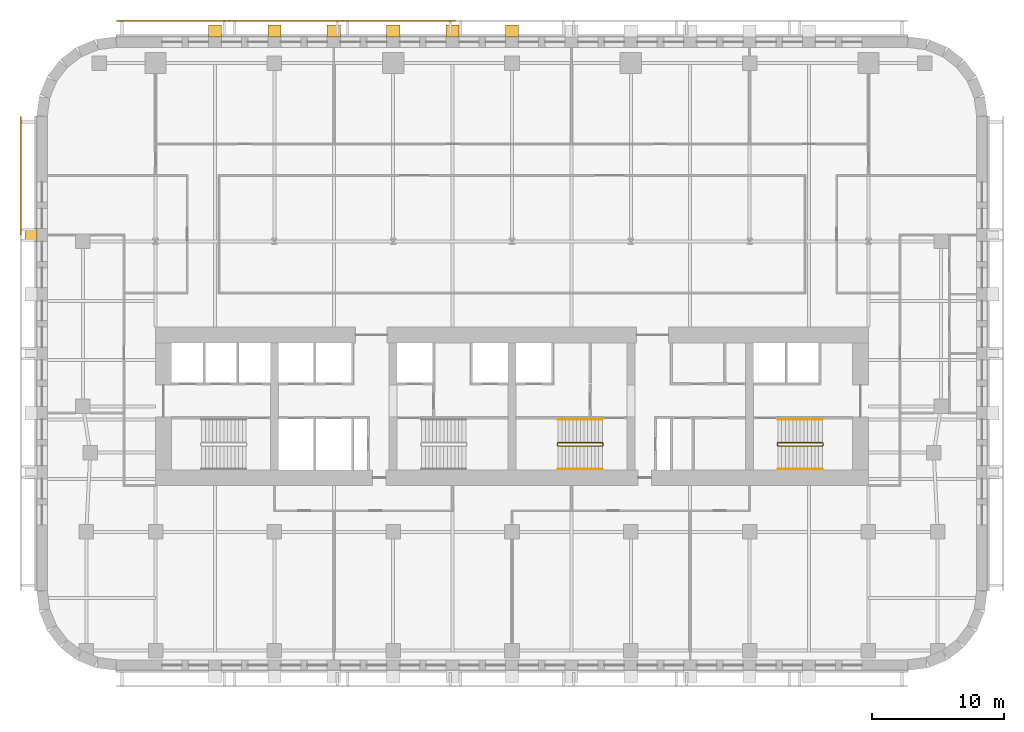
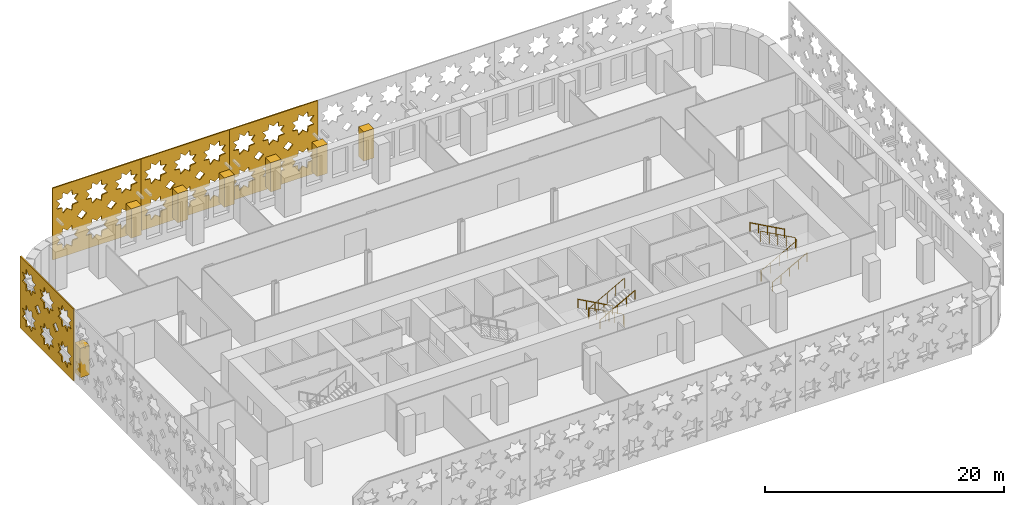
# One storey, part 13 of 15: 11 coverings, 6 railings.
"""IFC4 building model written with IfcOpenShell, lengths in metres."""

from ifc_helpers import new_model, si_unit, direction, frame, origin, origin_2d, place, context, subcontext, project, spatial, polyline, circle, outline, extrude, material, layer, layer_set, type_object, element, save


model = new_model("IFC4")

# Units and contexts
model_context = context("Model", 3, precision=1e-05, world=origin(), true_north=direction((0.0, 1.0)))
body_context = subcontext(model_context, "Body", "Model", "MODEL_VIEW")
ifc_project = project(units=[si_unit("LENGTHUNIT", "METRE"), si_unit("AREAUNIT", "SQUARE_METRE"), si_unit("VOLUMEUNIT", "CUBIC_METRE"), si_unit("PLANEANGLEUNIT", "RADIAN"), si_unit("MASSUNIT", "GRAM", prefix="KILO")], contexts=[model_context])

# Site, building, storey
site_placement = place(None, origin())
site = spatial("IfcSite", under=ifc_project, at=site_placement, CompositionType="ELEMENT")
building_placement = place(site_placement, origin())
building = spatial("IfcBuilding", under=site, at=building_placement, Name="Zellij Exchange Tower", CompositionType="ELEMENT")
storey_placement = place(building_placement, frame((0.0, 0.0, 92.5)))
storey = spatial("IfcBuildingStorey", under=building, at=storey_placement, Name="L19", CompositionType="ELEMENT", Elevation=92.5)

# Railings
ifc_material_1 = material(Name="Stainless steel", Category="steel")
railing_type_1 = type_object("IfcRailingType", Name="CORE-RG stair guard", PredefinedType="GUARDRAIL", material=ifc_material_1)
railing_1_placement = place(storey_placement, frame((6.89990234375, -10.800048828125, 0.0)))
element("IfcRailing", 1, at=railing_1_placement, inside=storey, type_object=railing_type_1, Name="ST3 stair guard L19", PredefinedType="GUARDRAIL", context=body_context, shape_type="SweptSolid", body=[
    extrude(circle(Radius=0.02392578125, at=origin_2d()), frame((0.0, 0.0, 1.076171875), z_axis=(0.0, -1.0, 0.0), x_axis=(1.0, 0.0, 0.0)), (0.0, 0.0, 1.0), 0.14990234375),
    extrude(circle(Radius=0.02392578125, at=origin_2d()), frame((0.0, -0.14990234375, 1.076171875), z_axis=(-0.193691321961, 0.777613689637, 0.598164376644), x_axis=(-0.970351222016, -0.241699205484, 0.0)), (0.0, 0.0, 1.0), 0.257080078125),
    extrude(circle(Radius=0.02392578125, at=origin_2d()), frame((-0.0498046875, 0.050048828125, 1.22998046875), z_axis=(-0.876421534553, 0.0, 0.481544695509), x_axis=(0.0, -1.0, 0.0)), (0.0, 0.0, 1.0), 3.833984375),
    extrude(circle(Radius=0.02392578125, at=origin_2d()), frame((-3.409912109375, 0.050048828125, 3.076171875), z_axis=(-0.707106781187, -0.707106781187, 0.0), x_axis=(0.707106781187, -0.707106781187, 0.0)), (0.0, 0.0, 1.0), 0.07080078125),
    extrude(circle(Radius=0.02392578125, at=origin_2d()), frame((-3.4599609375, 0.0, 3.076171875), z_axis=(0.0, -1.0, 0.0), x_axis=(1.0, 0.0, 0.0)), (0.0, 0.0, 1.0), 0.14990234375),
    extrude(circle(Radius=0.02392578125, at=origin_2d()), frame((-3.4599609375, -0.14990234375, 3.076171875), z_axis=(0.295599637079, -0.295599637079, 0.908428152975), x_axis=(0.707106781187, 0.707106781187, 0.0)), (0.0, 0.0, 1.0), 0.16943359375),
    extrude(circle(Radius=0.02392578125, at=origin_2d()), frame((-3.409912109375, -0.199951171875, 3.22998046875), z_axis=(0.876421534553, 0.0, 0.481544695509), x_axis=(0.0, 1.0, 0.0)), (0.0, 0.0, 1.0), 3.833984375),
    extrude(circle(Radius=0.02099609375, at=origin_2d()), origin(), (0.0, 0.0, 1.0), 1.052001953125),
    extrude(circle(Radius=0.02099609375, at=origin_2d()), frame((0.0, -0.14990234375, 0.0)), (0.0, 0.0, 1.0), 1.052001953125),
    extrude(circle(Radius=0.02099609375, at=origin_2d()), frame((-0.0498046875, 0.050048828125, 0.15380859375)), (0.0, 0.0, 1.0), 1.052001953125),
    extrude(circle(Radius=0.02099609375, at=origin_2d()), frame((-0.889892578125, 0.050048828125, 0.615234375)), (0.0, 0.0, 1.0), 1.052001953125),
    extrude(circle(Radius=0.02099609375, at=origin_2d()), frame((-1.72998046875, 0.050048828125, 1.076904296875)), (0.0, 0.0, 1.0), 1.052001953125),
    extrude(circle(Radius=0.02099609375, at=origin_2d()), frame((-2.56982421875, 0.050048828125, 1.53857421875)), (0.0, 0.0, 1.0), 1.052001953125),
    extrude(circle(Radius=0.02099609375, at=origin_2d()), frame((-3.409912109375, 0.050048828125, 2.0)), (0.0, 0.0, 1.0), 1.052001953125),
    extrude(circle(Radius=0.02099609375, at=origin_2d()), frame((-3.4599609375, 0.0, 2.0)), (0.0, 0.0, 1.0), 1.052001953125),
    extrude(circle(Radius=0.02099609375, at=origin_2d()), frame((-3.4599609375, -0.14990234375, 2.0)), (0.0, 0.0, 1.0), 1.052001953125),
    extrude(circle(Radius=0.02099609375, at=origin_2d()), frame((-3.409912109375, -0.199951171875, 2.15380859375)), (0.0, 0.0, 1.0), 1.052001953125),
    extrude(circle(Radius=0.02099609375, at=origin_2d()), frame((-2.56982421875, -0.199951171875, 2.615234375)), (0.0, 0.0, 1.0), 1.052001953125),
    extrude(circle(Radius=0.02099609375, at=origin_2d()), frame((-1.72998046875, -0.199951171875, 3.076904296875)), (0.0, 0.0, 1.0), 1.052001953125),
    extrude(circle(Radius=0.02099609375, at=origin_2d()), frame((-0.889892578125, -0.199951171875, 3.53857421875)), (0.0, 0.0, 1.0), 1.052001953125),
    extrude(circle(Radius=0.02099609375, at=origin_2d()), frame((-0.0498046875, -0.199951171875, 4.0)), (0.0, 0.0, 1.0), 1.052001953125),
])
railing_2_placement = place(storey_placement, frame((20.10009765625, -10.949951171875, 0.0)))
element("IfcRailing", 2, at=railing_2_placement, inside=storey, type_object=railing_type_1, Name="ST4 stair guard L19", PredefinedType="GUARDRAIL", context=body_context, shape_type="SweptSolid", body=[
    extrude(circle(Radius=0.02392578125, at=origin_2d()), frame((0.0, 0.0, 1.076171875), z_axis=(0.0, 1.0, 0.0), x_axis=(-1.0, 0.0, 0.0)), (0.0, 0.0, 1.0), 0.14990234375),
    extrude(circle(Radius=0.02392578125, at=origin_2d()), frame((0.0, 0.14990234375, 1.076171875), z_axis=(0.193691321961, -0.777613689637, 0.598164376644), x_axis=(0.970351222016, 0.241699205484, 0.0)), (0.0, 0.0, 1.0), 0.257080078125),
    extrude(circle(Radius=0.02392578125, at=origin_2d()), frame((0.0498046875, -0.050048828125, 1.22998046875), z_axis=(0.876421534553, 0.0, 0.481544695509), x_axis=(0.0, 1.0, 0.0)), (0.0, 0.0, 1.0), 3.833984375),
    extrude(circle(Radius=0.02392578125, at=origin_2d()), frame((3.409912109375, -0.050048828125, 3.076171875), z_axis=(0.707106781187, 0.707106781187, 0.0), x_axis=(-0.707106781187, 0.707106781187, 0.0)), (0.0, 0.0, 1.0), 0.07080078125),
    extrude(circle(Radius=0.02392578125, at=origin_2d()), frame((3.4599609375, 0.0, 3.076171875), z_axis=(0.0, 1.0, 0.0), x_axis=(-1.0, 0.0, 0.0)), (0.0, 0.0, 1.0), 0.14990234375),
    extrude(circle(Radius=0.02392578125, at=origin_2d()), frame((3.4599609375, 0.14990234375, 3.076171875), z_axis=(-0.295599637079, 0.295599637079, 0.908428152975), x_axis=(-0.707106781187, -0.707106781187, 0.0)), (0.0, 0.0, 1.0), 0.16943359375),
    extrude(circle(Radius=0.02392578125, at=origin_2d()), frame((3.409912109375, 0.199951171875, 3.22998046875), z_axis=(-0.876421534553, 0.0, 0.481544695509), x_axis=(0.0, -1.0, 0.0)), (0.0, 0.0, 1.0), 3.833984375),
    extrude(circle(Radius=0.02099609375, at=origin_2d()), origin(), (0.0, 0.0, 1.0), 1.052001953125),
    extrude(circle(Radius=0.02099609375, at=origin_2d()), frame((0.0, 0.14990234375, 0.0)), (0.0, 0.0, 1.0), 1.052001953125),
    extrude(circle(Radius=0.02099609375, at=origin_2d()), frame((0.0498046875, -0.050048828125, 0.15380859375)), (0.0, 0.0, 1.0), 1.052001953125),
    extrude(circle(Radius=0.02099609375, at=origin_2d()), frame((0.889892578125, -0.050048828125, 0.615234375)), (0.0, 0.0, 1.0), 1.052001953125),
    extrude(circle(Radius=0.02099609375, at=origin_2d()), frame((1.72998046875, -0.050048828125, 1.076904296875)), (0.0, 0.0, 1.0), 1.052001953125),
    extrude(circle(Radius=0.02099609375, at=origin_2d()), frame((2.56982421875, -0.050048828125, 1.53857421875)), (0.0, 0.0, 1.0), 1.052001953125),
    extrude(circle(Radius=0.02099609375, at=origin_2d()), frame((3.409912109375, -0.050048828125, 2.0)), (0.0, 0.0, 1.0), 1.052001953125),
    extrude(circle(Radius=0.02099609375, at=origin_2d()), frame((3.4599609375, 0.0, 2.0)), (0.0, 0.0, 1.0), 1.052001953125),
    extrude(circle(Radius=0.02099609375, at=origin_2d()), frame((3.4599609375, 0.14990234375, 2.0)), (0.0, 0.0, 1.0), 1.052001953125),
    extrude(circle(Radius=0.02099609375, at=origin_2d()), frame((3.409912109375, 0.199951171875, 2.15380859375)), (0.0, 0.0, 1.0), 1.052001953125),
    extrude(circle(Radius=0.02099609375, at=origin_2d()), frame((2.56982421875, 0.199951171875, 2.615234375)), (0.0, 0.0, 1.0), 1.052001953125),
    extrude(circle(Radius=0.02099609375, at=origin_2d()), frame((1.72998046875, 0.199951171875, 3.076904296875)), (0.0, 0.0, 1.0), 1.052001953125),
    extrude(circle(Radius=0.02099609375, at=origin_2d()), frame((0.889892578125, 0.199951171875, 3.53857421875)), (0.0, 0.0, 1.0), 1.052001953125),
    extrude(circle(Radius=0.02099609375, at=origin_2d()), frame((0.0498046875, 0.199951171875, 4.0)), (0.0, 0.0, 1.0), 1.052001953125),
])
railing_type_2 = type_object("IfcRailingType", Name="CORE-RH stair handrail", PredefinedType="HANDRAIL", material=ifc_material_1)
railing_3_placement = place(storey_placement, frame((6.85009765625, -9.0, 0.15380859375)))
element("IfcRailing", 3, at=railing_3_placement, inside=storey, type_object=railing_type_2, Name="ST3 stair handrail L19", PredefinedType="HANDRAIL", context=body_context, shape_type="SweptSolid", body=[
    extrude(circle(Radius=0.02392578125, at=origin_2d()), frame((0.0, 0.0, 0.8759765625), z_axis=(-0.876421534553, 0.0, 0.481544695509), x_axis=(0.0, -1.0, 0.0)), (0.0, 0.0, 1.0), 3.833984375),
    extrude(circle(Radius=0.02099609375, at=origin_2d()), origin(), (0.0, 0.0, 1.0), 0.851806640625),
    extrude(circle(Radius=0.02099609375, at=origin_2d()), frame((-0.840087890625, 0.0, 0.46142578125)), (0.0, 0.0, 1.0), 0.851806640625),
    extrude(circle(Radius=0.02099609375, at=origin_2d()), frame((-1.68017578125, 0.0, 0.923095703125)), (0.0, 0.0, 1.0), 0.851806640625),
    extrude(circle(Radius=0.02099609375, at=origin_2d()), frame((-2.52001953125, 0.0, 1.384765625)), (0.0, 0.0, 1.0), 0.851806640625),
    extrude(circle(Radius=0.02099609375, at=origin_2d()), frame((-3.360107421875, 0.0, 1.84619140625)), (0.0, 0.0, 1.0), 0.851806640625),
])
for number, where, name in (
    (4, (3.489990234375, -12.75, 2.15380859375), "ST3 stair handrail L19"),
    (5, (20.14990234375, -12.75, 0.15380859375), "ST4 stair handrail L19"),
):
    element("IfcRailing", number, at=place(storey_placement, frame(where)), inside=storey, type_object=railing_type_2, Name=name, PredefinedType="HANDRAIL", context=body_context, shape_type="SweptSolid", body=[
        extrude(circle(Radius=0.02392578125, at=origin_2d()), frame((0.0, 0.0, 0.8759765625), z_axis=(0.876421534553, 0.0, 0.481544695509), x_axis=(0.0, 1.0, 0.0)), (0.0, 0.0, 1.0), 3.833984375),
        extrude(circle(Radius=0.02099609375, at=origin_2d()), origin(), (0.0, 0.0, 1.0), 0.851806640625),
        extrude(circle(Radius=0.02099609375, at=origin_2d()), frame((0.840087890625, 0.0, 0.46142578125)), (0.0, 0.0, 1.0), 0.851806640625),
        extrude(circle(Radius=0.02099609375, at=origin_2d()), frame((1.68017578125, 0.0, 0.923095703125)), (0.0, 0.0, 1.0), 0.851806640625),
        extrude(circle(Radius=0.02099609375, at=origin_2d()), frame((2.52001953125, 0.0, 1.384765625)), (0.0, 0.0, 1.0), 0.851806640625),
        extrude(circle(Radius=0.02099609375, at=origin_2d()), frame((3.360107421875, 0.0, 1.84619140625)), (0.0, 0.0, 1.0), 0.851806640625),
    ])
railing_4_placement = place(storey_placement, frame((23.510009765625, -9.0, 2.15380859375)))
element("IfcRailing", 6, at=railing_4_placement, inside=storey, type_object=railing_type_2, Name="ST4 stair handrail L19", PredefinedType="HANDRAIL", context=body_context, shape_type="SweptSolid", body=[
    extrude(circle(Radius=0.02392578125, at=origin_2d()), frame((0.0, 0.0, 0.8759765625), z_axis=(-0.876421534553, 0.0, 0.481544695509), x_axis=(0.0, -1.0, 0.0)), (0.0, 0.0, 1.0), 3.833984375),
    extrude(circle(Radius=0.02099609375, at=origin_2d()), origin(), (0.0, 0.0, 1.0), 0.851806640625),
    extrude(circle(Radius=0.02099609375, at=origin_2d()), frame((-0.840087890625, 0.0, 0.46142578125)), (0.0, 0.0, 1.0), 0.851806640625),
    extrude(circle(Radius=0.02099609375, at=origin_2d()), frame((-1.68017578125, 0.0, 0.923095703125)), (0.0, 0.0, 1.0), 0.851806640625),
    extrude(circle(Radius=0.02099609375, at=origin_2d()), frame((-2.52001953125, 0.0, 1.384765625)), (0.0, 0.0, 1.0), 0.851806640625),
    extrude(circle(Radius=0.02099609375, at=origin_2d()), frame((-3.360107421875, 0.0, 1.84619140625)), (0.0, 0.0, 1.0), 0.851806640625),
])

# Coverings
ifc_material_2 = material(Name="Limestone cladding", Category="masonry")
covering_type_1 = type_object("IfcCoveringType", Name="ENV-CV2 Stone pier 1000x900", PredefinedType="CLADDING", material=ifc_material_2)
covering_1_placement = place(storey_placement, frame((0.0, 0.0, 0.800048828125)))
element("IfcCovering", 7, at=covering_1_placement, inside=storey, type_object=covering_type_1, Name="Stone pier", PredefinedType="CLADDING", context=body_context, shape_type="SweptSolid", body=[
    extrude(outline(polyline([(0.5, 20.0), (-0.5, 20.0), (-0.5, 20.89990234375), (0.5, 20.89990234375), (0.5, 20.0)])), origin(), (0.0, 0.0, 1.0), 3.0),
])
covering_2_placement = place(storey_placement, frame((0.0, 0.0, 0.800048828125)))
element("IfcCovering", 8, at=covering_2_placement, inside=storey, type_object=covering_type_1, Name="Stone pier", PredefinedType="CLADDING", context=body_context, shape_type="SweptSolid", body=[
    extrude(outline(polyline([(-4.0, 20.0), (-5.0, 20.0), (-5.0, 20.89990234375), (-4.0, 20.89990234375), (-4.0, 20.0)])), origin(), (0.0, 0.0, 1.0), 3.0),
])
covering_3_placement = place(storey_placement, frame((0.0, 0.0, 0.800048828125)))
element("IfcCovering", 9, at=covering_3_placement, inside=storey, type_object=covering_type_1, Name="Stone pier", PredefinedType="CLADDING", context=body_context, shape_type="SweptSolid", body=[
    extrude(outline(polyline([(-8.5, 20.0), (-9.5, 20.0), (-9.5, 20.89990234375), (-8.5, 20.89990234375), (-8.5, 20.0)])), origin(), (0.0, 0.0, 1.0), 3.0),
])
covering_4_placement = place(storey_placement, frame((0.0, 0.0, 0.800048828125)))
element("IfcCovering", 10, at=covering_4_placement, inside=storey, type_object=covering_type_1, Name="Stone pier", PredefinedType="CLADDING", context=body_context, shape_type="SweptSolid", body=[
    extrude(outline(polyline([(-13.0, 20.0), (-14.0, 20.0), (-14.0, 20.89990234375), (-13.0, 20.89990234375), (-13.0, 20.0)])), origin(), (0.0, 0.0, 1.0), 3.0),
])
covering_5_placement = place(storey_placement, frame((0.0, 0.0, 0.800048828125)))
element("IfcCovering", 11, at=covering_5_placement, inside=storey, type_object=covering_type_1, Name="Stone pier", PredefinedType="CLADDING", context=body_context, shape_type="SweptSolid", body=[
    extrude(outline(polyline([(-17.5, 20.0), (-18.5, 20.0), (-18.5, 20.89990234375), (-17.5, 20.89990234375), (-17.5, 20.0)])), origin(), (0.0, 0.0, 1.0), 3.0),
])
covering_6_placement = place(storey_placement, frame((0.0, 0.0, 0.800048828125)))
element("IfcCovering", 12, at=covering_6_placement, inside=storey, type_object=covering_type_1, Name="Stone pier", PredefinedType="CLADDING", context=body_context, shape_type="SweptSolid", body=[
    extrude(outline(polyline([(-22.0, 20.0), (-23.0, 20.0), (-23.0, 20.89990234375), (-22.0, 20.89990234375), (-22.0, 20.0)])), origin(), (0.0, 0.0, 1.0), 3.0),
])
covering_7_placement = place(storey_placement, frame((0.0, 0.0, 0.800048828125)))
element("IfcCovering", 13, at=covering_7_placement, inside=storey, type_object=covering_type_1, Name="Stone pier", PredefinedType="CLADDING", context=body_context, shape_type="SweptSolid", body=[
    extrude(outline(polyline([(-36.0, 5.48681640625), (-36.0, 4.48681640625), (-36.89990234375, 4.48681640625), (-36.89990234375, 5.48681640625), (-36.0, 5.48681640625)])), origin(), (0.0, 0.0, 1.0), 3.0),
])
ifc_material_3 = material(Name="Limestone screen", Category="masonry")
ifc_layer = layer(ifc_material_3, 0.1201171875)
ifc_layer_set = layer_set([ifc_layer], Name="Limestone screen")
covering_type_2 = type_object("IfcCoveringType", Name="ENV-SC1 Pierced stone screen 120", PredefinedType="USERDEFINED", material=ifc_layer_set)
covering_8_placement = place(storey_placement, frame((-37.2099609375, 13.947509765625, 0.300048828125), z_axis=(0.0, 0.0, 1.0), x_axis=(0.0, -1.0, 0.0)))
element("IfcCovering", 14, at=covering_8_placement, inside=storey, type_object=covering_type_2, Name="Pierced stone screen", ObjectType="SCREEN", PredefinedType="USERDEFINED", context=body_context, shape_type="SweptSolid", body=[
    extrude(outline(polyline([(0.0, 0.0), (8.973876953125, 0.0), (8.973876953125, 7.35009765625), (0.0, 7.35009765625), (0.0, 0.0)]), holes=[polyline([(2.60107421875, 2.29541015625), (2.020263671875, 2.362060546875), (1.95361328125, 2.94287109375), (1.49560546875, 2.579345703125), (1.03759765625, 2.94287109375), (0.97119140625, 2.362060546875), (0.39013671875, 2.29541015625), (0.75390625, 1.83740234375), (0.39013671875, 1.379638671875), (0.97119140625, 1.31298828125), (1.03759765625, 0.732177734375), (1.49560546875, 1.095703125), (1.95361328125, 0.732177734375), (2.020263671875, 1.31298828125), (2.60107421875, 1.379638671875), (2.237548828125, 1.83740234375), (2.60107421875, 2.29541015625)]), polyline([(2.60107421875, 5.970458984375), (2.020263671875, 6.037109375), (1.95361328125, 6.617919921875), (1.49560546875, 6.25439453125), (1.03759765625, 6.617919921875), (0.97119140625, 6.037109375), (0.39013671875, 5.970458984375), (0.75390625, 5.512451171875), (0.39013671875, 5.0546875), (0.97119140625, 4.98779296875), (1.03759765625, 4.406982421875), (1.49560546875, 4.770751953125), (1.95361328125, 4.406982421875), (2.020263671875, 4.98779296875), (2.60107421875, 5.0546875), (2.237548828125, 5.512451171875), (2.60107421875, 5.970458984375)]), polyline([(5.59228515625, 2.29541015625), (5.011474609375, 2.362060546875), (4.94482421875, 2.94287109375), (4.48681640625, 2.579345703125), (4.029052734375, 2.94287109375), (3.96240234375, 2.362060546875), (3.381591796875, 2.29541015625), (3.7451171875, 1.83740234375), (3.381591796875, 1.379638671875), (3.96240234375, 1.31298828125), (4.029052734375, 0.732177734375), (4.48681640625, 1.095703125), (4.94482421875, 0.732177734375), (5.011474609375, 1.31298828125), (5.59228515625, 1.379638671875), (5.228759765625, 1.83740234375), (5.59228515625, 2.29541015625)]), polyline([(5.59228515625, 5.970458984375), (5.011474609375, 6.037109375), (4.94482421875, 6.617919921875), (4.48681640625, 6.25439453125), (4.029052734375, 6.617919921875), (3.96240234375, 6.037109375), (3.381591796875, 5.970458984375), (3.7451171875, 5.512451171875), (3.381591796875, 5.0546875), (3.96240234375, 4.98779296875), (4.029052734375, 4.406982421875), (4.48681640625, 4.770751953125), (4.94482421875, 4.406982421875), (5.011474609375, 4.98779296875), (5.59228515625, 5.0546875), (5.228759765625, 5.512451171875), (5.59228515625, 5.970458984375)]), polyline([(8.58349609375, 2.29541015625), (8.002685546875, 2.362060546875), (7.93603515625, 2.94287109375), (7.478271484375, 2.579345703125), (7.020263671875, 2.94287109375), (6.95361328125, 2.362060546875), (6.372802734375, 2.29541015625), (6.736328125, 1.83740234375), (6.372802734375, 1.379638671875), (6.95361328125, 1.31298828125), (7.020263671875, 0.732177734375), (7.478271484375, 1.095703125), (7.93603515625, 0.732177734375), (8.002685546875, 1.31298828125), (8.58349609375, 1.379638671875), (8.219970703125, 1.83740234375), (8.58349609375, 2.29541015625)]), polyline([(8.58349609375, 5.970458984375), (8.002685546875, 6.037109375), (7.93603515625, 6.617919921875), (7.478271484375, 6.25439453125), (7.020263671875, 6.617919921875), (6.95361328125, 6.037109375), (6.372802734375, 5.970458984375), (6.736328125, 5.512451171875), (6.372802734375, 5.0546875), (6.95361328125, 4.98779296875), (7.020263671875, 4.406982421875), (7.478271484375, 4.770751953125), (7.93603515625, 4.406982421875), (8.002685546875, 4.98779296875), (8.58349609375, 5.0546875), (8.219970703125, 5.512451171875), (8.58349609375, 5.970458984375)]), polyline([(3.469970703125, 3.675048828125), (2.9912109375, 4.153564453125), (2.5126953125, 3.675048828125), (2.9912109375, 3.1962890625), (3.469970703125, 3.675048828125)]), polyline([(6.461181640625, 3.675048828125), (5.982421875, 4.153564453125), (5.50390625, 3.675048828125), (5.982421875, 3.1962890625), (6.461181640625, 3.675048828125)])]), frame((0.0, 0.06005859375, 0.0), z_axis=(0.0, -1.0, 0.0), x_axis=(1.0, 0.0, 0.0)), (0.0, 0.0, 1.0), 0.1201171875),
])
covering_9_placement = place(storey_placement, frame((-4.2783203125, 21.2099609375, 0.300048828125), z_axis=(0.0, 0.0, 1.0), x_axis=(-1.0, 0.0, 0.0)))
element("IfcCovering", 15, at=covering_9_placement, inside=storey, type_object=covering_type_2, Name="Pierced stone screen", ObjectType="SCREEN", PredefinedType="USERDEFINED", context=body_context, shape_type="SweptSolid", body=[
    extrude(outline(polyline([(0.0, 0.0), (8.556396484375, 0.0), (8.556396484375, 7.35009765625), (0.0, 7.35009765625), (0.0, 0.0)]), holes=[polyline([(2.47998046875, 2.274169921875), (1.92626953125, 2.337646484375), (1.86279296875, 2.8916015625), (1.426025390625, 2.544921875), (0.989501953125, 2.8916015625), (0.92578125, 2.337646484375), (0.3720703125, 2.274169921875), (0.71875, 1.83740234375), (0.3720703125, 1.40087890625), (0.92578125, 1.33740234375), (0.989501953125, 0.783447265625), (1.426025390625, 1.130126953125), (1.86279296875, 0.783447265625), (1.92626953125, 1.33740234375), (2.47998046875, 1.40087890625), (2.13330078125, 1.83740234375), (2.47998046875, 2.274169921875)]), polyline([(2.47998046875, 5.94921875), (1.92626953125, 6.0126953125), (1.86279296875, 6.56640625), (1.426025390625, 6.2197265625), (0.989501953125, 6.56640625), (0.92578125, 6.0126953125), (0.3720703125, 5.94921875), (0.71875, 5.512451171875), (0.3720703125, 5.075927734375), (0.92578125, 5.01220703125), (0.989501953125, 4.45849609375), (1.426025390625, 4.80517578125), (1.86279296875, 4.45849609375), (1.92626953125, 5.01220703125), (2.47998046875, 5.075927734375), (2.13330078125, 5.512451171875), (2.47998046875, 5.94921875)]), polyline([(5.332275390625, 2.274169921875), (4.7783203125, 2.337646484375), (4.71484375, 2.8916015625), (4.2783203125, 2.544921875), (3.841552734375, 2.8916015625), (3.778076171875, 2.337646484375), (3.22412109375, 2.274169921875), (3.57080078125, 1.83740234375), (3.22412109375, 1.40087890625), (3.778076171875, 1.33740234375), (3.841552734375, 0.783447265625), (4.2783203125, 1.130126953125), (4.71484375, 0.783447265625), (4.7783203125, 1.33740234375), (5.332275390625, 1.40087890625), (4.985595703125, 1.83740234375), (5.332275390625, 2.274169921875)]), polyline([(5.332275390625, 5.94921875), (4.7783203125, 6.0126953125), (4.71484375, 6.56640625), (4.2783203125, 6.2197265625), (3.841552734375, 6.56640625), (3.778076171875, 6.0126953125), (3.22412109375, 5.94921875), (3.57080078125, 5.512451171875), (3.22412109375, 5.075927734375), (3.778076171875, 5.01220703125), (3.841552734375, 4.45849609375), (4.2783203125, 4.80517578125), (4.71484375, 4.45849609375), (4.7783203125, 5.01220703125), (5.332275390625, 5.075927734375), (4.985595703125, 5.512451171875), (5.332275390625, 5.94921875)]), polyline([(8.184326171875, 2.274169921875), (7.630615234375, 2.337646484375), (7.56689453125, 2.8916015625), (7.13037109375, 2.544921875), (6.69384765625, 2.8916015625), (6.630126953125, 2.337646484375), (6.076416015625, 2.274169921875), (6.423095703125, 1.83740234375), (6.076416015625, 1.40087890625), (6.630126953125, 1.33740234375), (6.69384765625, 0.783447265625), (7.13037109375, 1.130126953125), (7.56689453125, 0.783447265625), (7.630615234375, 1.33740234375), (8.184326171875, 1.40087890625), (7.837646484375, 1.83740234375), (8.184326171875, 2.274169921875)]), polyline([(8.184326171875, 5.94921875), (7.630615234375, 6.0126953125), (7.56689453125, 6.56640625), (7.13037109375, 6.2197265625), (6.69384765625, 6.56640625), (6.630126953125, 6.0126953125), (6.076416015625, 5.94921875), (6.423095703125, 5.512451171875), (6.076416015625, 5.075927734375), (6.630126953125, 5.01220703125), (6.69384765625, 4.45849609375), (7.13037109375, 4.80517578125), (7.56689453125, 4.45849609375), (7.630615234375, 5.01220703125), (8.184326171875, 5.075927734375), (7.837646484375, 5.512451171875), (8.184326171875, 5.94921875)]), polyline([(3.30859375, 3.675048828125), (2.852294921875, 4.13134765625), (2.395751953125, 3.675048828125), (2.852294921875, 3.21875), (3.30859375, 3.675048828125)]), polyline([(6.16064453125, 3.675048828125), (5.704345703125, 4.13134765625), (5.248046875, 3.675048828125), (5.704345703125, 3.21875), (6.16064453125, 3.675048828125)])]), frame((0.0, 0.06005859375, 0.0), z_axis=(0.0, -1.0, 0.0), x_axis=(1.0, 0.0, 0.0)), (0.0, 0.0, 1.0), 0.1201171875),
])
covering_10_placement = place(storey_placement, frame((-12.834716796875, 21.2099609375, 0.300048828125), z_axis=(0.0, 0.0, 1.0), x_axis=(-1.0, 0.0, 0.0)))
element("IfcCovering", 16, at=covering_10_placement, inside=storey, type_object=covering_type_2, Name="Pierced stone screen", ObjectType="SCREEN", PredefinedType="USERDEFINED", context=body_context, shape_type="SweptSolid", body=[
    extrude(outline(polyline([(0.0, 0.0), (8.556396484375, 0.0), (8.556396484375, 7.35009765625), (0.0, 7.35009765625), (0.0, 0.0)]), holes=[polyline([(2.47998046875, 2.274169921875), (1.92626953125, 2.337646484375), (1.86279296875, 2.8916015625), (1.426025390625, 2.544921875), (0.989501953125, 2.8916015625), (0.92578125, 2.337646484375), (0.3720703125, 2.274169921875), (0.71875, 1.83740234375), (0.3720703125, 1.40087890625), (0.92578125, 1.33740234375), (0.989501953125, 0.783447265625), (1.426025390625, 1.130126953125), (1.86279296875, 0.783447265625), (1.92626953125, 1.33740234375), (2.47998046875, 1.40087890625), (2.13330078125, 1.83740234375), (2.47998046875, 2.274169921875)]), polyline([(2.47998046875, 5.94921875), (1.92626953125, 6.0126953125), (1.86279296875, 6.56640625), (1.426025390625, 6.2197265625), (0.989501953125, 6.56640625), (0.92578125, 6.0126953125), (0.3720703125, 5.94921875), (0.71875, 5.512451171875), (0.3720703125, 5.075927734375), (0.92578125, 5.01220703125), (0.989501953125, 4.45849609375), (1.426025390625, 4.80517578125), (1.86279296875, 4.45849609375), (1.92626953125, 5.01220703125), (2.47998046875, 5.075927734375), (2.13330078125, 5.512451171875), (2.47998046875, 5.94921875)]), polyline([(5.332275390625, 2.274169921875), (4.7783203125, 2.337646484375), (4.71484375, 2.8916015625), (4.2783203125, 2.544921875), (3.841552734375, 2.8916015625), (3.778076171875, 2.337646484375), (3.22412109375, 2.274169921875), (3.57080078125, 1.83740234375), (3.22412109375, 1.40087890625), (3.778076171875, 1.33740234375), (3.841552734375, 0.783447265625), (4.2783203125, 1.130126953125), (4.71484375, 0.783447265625), (4.7783203125, 1.33740234375), (5.332275390625, 1.40087890625), (4.985595703125, 1.83740234375), (5.332275390625, 2.274169921875)]), polyline([(5.332275390625, 5.94921875), (4.7783203125, 6.0126953125), (4.71484375, 6.56640625), (4.2783203125, 6.2197265625), (3.841552734375, 6.56640625), (3.778076171875, 6.0126953125), (3.22412109375, 5.94921875), (3.57080078125, 5.512451171875), (3.22412109375, 5.075927734375), (3.778076171875, 5.01220703125), (3.841552734375, 4.45849609375), (4.2783203125, 4.80517578125), (4.71484375, 4.45849609375), (4.7783203125, 5.01220703125), (5.332275390625, 5.075927734375), (4.985595703125, 5.512451171875), (5.332275390625, 5.94921875)]), polyline([(8.184326171875, 2.274169921875), (7.630615234375, 2.337646484375), (7.56689453125, 2.8916015625), (7.13037109375, 2.544921875), (6.69384765625, 2.8916015625), (6.630126953125, 2.337646484375), (6.076416015625, 2.274169921875), (6.423095703125, 1.83740234375), (6.076416015625, 1.40087890625), (6.630126953125, 1.33740234375), (6.69384765625, 0.783447265625), (7.13037109375, 1.130126953125), (7.56689453125, 0.783447265625), (7.630615234375, 1.33740234375), (8.184326171875, 1.40087890625), (7.837646484375, 1.83740234375), (8.184326171875, 2.274169921875)]), polyline([(8.184326171875, 5.94921875), (7.630615234375, 6.0126953125), (7.56689453125, 6.56640625), (7.13037109375, 6.2197265625), (6.69384765625, 6.56640625), (6.630126953125, 6.0126953125), (6.076416015625, 5.94921875), (6.423095703125, 5.512451171875), (6.076416015625, 5.075927734375), (6.630126953125, 5.01220703125), (6.69384765625, 4.45849609375), (7.13037109375, 4.80517578125), (7.56689453125, 4.45849609375), (7.630615234375, 5.01220703125), (8.184326171875, 5.075927734375), (7.837646484375, 5.512451171875), (8.184326171875, 5.94921875)]), polyline([(3.30859375, 3.675048828125), (2.852294921875, 4.13134765625), (2.395751953125, 3.675048828125), (2.852294921875, 3.21875), (3.30859375, 3.675048828125)]), polyline([(6.16064453125, 3.675048828125), (5.704345703125, 4.13134765625), (5.248046875, 3.675048828125), (5.704345703125, 3.21875), (6.16064453125, 3.675048828125)])]), frame((0.0, 0.06005859375, 0.0), z_axis=(0.0, -1.0, 0.0), x_axis=(1.0, 0.0, 0.0)), (0.0, 0.0, 1.0), 0.1201171875),
])
covering_11_placement = place(storey_placement, frame((-21.39111328125, 21.2099609375, 0.300048828125), z_axis=(0.0, 0.0, 1.0), x_axis=(-1.0, 0.0, 0.0)))
element("IfcCovering", 17, at=covering_11_placement, inside=storey, type_object=covering_type_2, Name="Pierced stone screen", ObjectType="SCREEN", PredefinedType="USERDEFINED", context=body_context, shape_type="SweptSolid", body=[
    extrude(outline(polyline([(0.0, 0.0), (8.556396484375, 0.0), (8.556396484375, 7.35009765625), (0.0, 7.35009765625), (0.0, 0.0)]), holes=[polyline([(2.47998046875, 2.274169921875), (1.92626953125, 2.337646484375), (1.86279296875, 2.8916015625), (1.426025390625, 2.544921875), (0.989501953125, 2.8916015625), (0.92578125, 2.337646484375), (0.3720703125, 2.274169921875), (0.71875, 1.83740234375), (0.3720703125, 1.40087890625), (0.92578125, 1.33740234375), (0.989501953125, 0.783447265625), (1.426025390625, 1.130126953125), (1.86279296875, 0.783447265625), (1.92626953125, 1.33740234375), (2.47998046875, 1.40087890625), (2.13330078125, 1.83740234375), (2.47998046875, 2.274169921875)]), polyline([(2.47998046875, 5.94921875), (1.92626953125, 6.0126953125), (1.86279296875, 6.56640625), (1.426025390625, 6.2197265625), (0.989501953125, 6.56640625), (0.92578125, 6.0126953125), (0.3720703125, 5.94921875), (0.71875, 5.512451171875), (0.3720703125, 5.075927734375), (0.92578125, 5.01220703125), (0.989501953125, 4.45849609375), (1.426025390625, 4.80517578125), (1.86279296875, 4.45849609375), (1.92626953125, 5.01220703125), (2.47998046875, 5.075927734375), (2.13330078125, 5.512451171875), (2.47998046875, 5.94921875)]), polyline([(5.332275390625, 2.274169921875), (4.7783203125, 2.337646484375), (4.71484375, 2.8916015625), (4.2783203125, 2.544921875), (3.841552734375, 2.8916015625), (3.778076171875, 2.337646484375), (3.22412109375, 2.274169921875), (3.57080078125, 1.83740234375), (3.22412109375, 1.40087890625), (3.778076171875, 1.33740234375), (3.841552734375, 0.783447265625), (4.2783203125, 1.130126953125), (4.71484375, 0.783447265625), (4.7783203125, 1.33740234375), (5.332275390625, 1.40087890625), (4.985595703125, 1.83740234375), (5.332275390625, 2.274169921875)]), polyline([(5.332275390625, 5.94921875), (4.7783203125, 6.0126953125), (4.71484375, 6.56640625), (4.2783203125, 6.2197265625), (3.841552734375, 6.56640625), (3.778076171875, 6.0126953125), (3.22412109375, 5.94921875), (3.57080078125, 5.512451171875), (3.22412109375, 5.075927734375), (3.778076171875, 5.01220703125), (3.841552734375, 4.45849609375), (4.2783203125, 4.80517578125), (4.71484375, 4.45849609375), (4.7783203125, 5.01220703125), (5.332275390625, 5.075927734375), (4.985595703125, 5.512451171875), (5.332275390625, 5.94921875)]), polyline([(8.184326171875, 2.274169921875), (7.630615234375, 2.337646484375), (7.56689453125, 2.8916015625), (7.13037109375, 2.544921875), (6.69384765625, 2.8916015625), (6.630126953125, 2.337646484375), (6.076416015625, 2.274169921875), (6.423095703125, 1.83740234375), (6.076416015625, 1.40087890625), (6.630126953125, 1.33740234375), (6.69384765625, 0.783447265625), (7.13037109375, 1.130126953125), (7.56689453125, 0.783447265625), (7.630615234375, 1.33740234375), (8.184326171875, 1.40087890625), (7.837646484375, 1.83740234375), (8.184326171875, 2.274169921875)]), polyline([(8.184326171875, 5.94921875), (7.630615234375, 6.0126953125), (7.56689453125, 6.56640625), (7.13037109375, 6.2197265625), (6.69384765625, 6.56640625), (6.630126953125, 6.0126953125), (6.076416015625, 5.94921875), (6.423095703125, 5.512451171875), (6.076416015625, 5.075927734375), (6.630126953125, 5.01220703125), (6.69384765625, 4.45849609375), (7.13037109375, 4.80517578125), (7.56689453125, 4.45849609375), (7.630615234375, 5.01220703125), (8.184326171875, 5.075927734375), (7.837646484375, 5.512451171875), (8.184326171875, 5.94921875)]), polyline([(3.30859375, 3.675048828125), (2.852294921875, 4.13134765625), (2.395751953125, 3.675048828125), (2.852294921875, 3.21875), (3.30859375, 3.675048828125)]), polyline([(6.16064453125, 3.675048828125), (5.704345703125, 4.13134765625), (5.248046875, 3.675048828125), (5.704345703125, 3.21875), (6.16064453125, 3.675048828125)])]), frame((0.0, 0.06005859375, 0.0), z_axis=(0.0, -1.0, 0.0), x_axis=(1.0, 0.0, 0.0)), (0.0, 0.0, 1.0), 0.1201171875),
])

save(model, "model.ifc")
